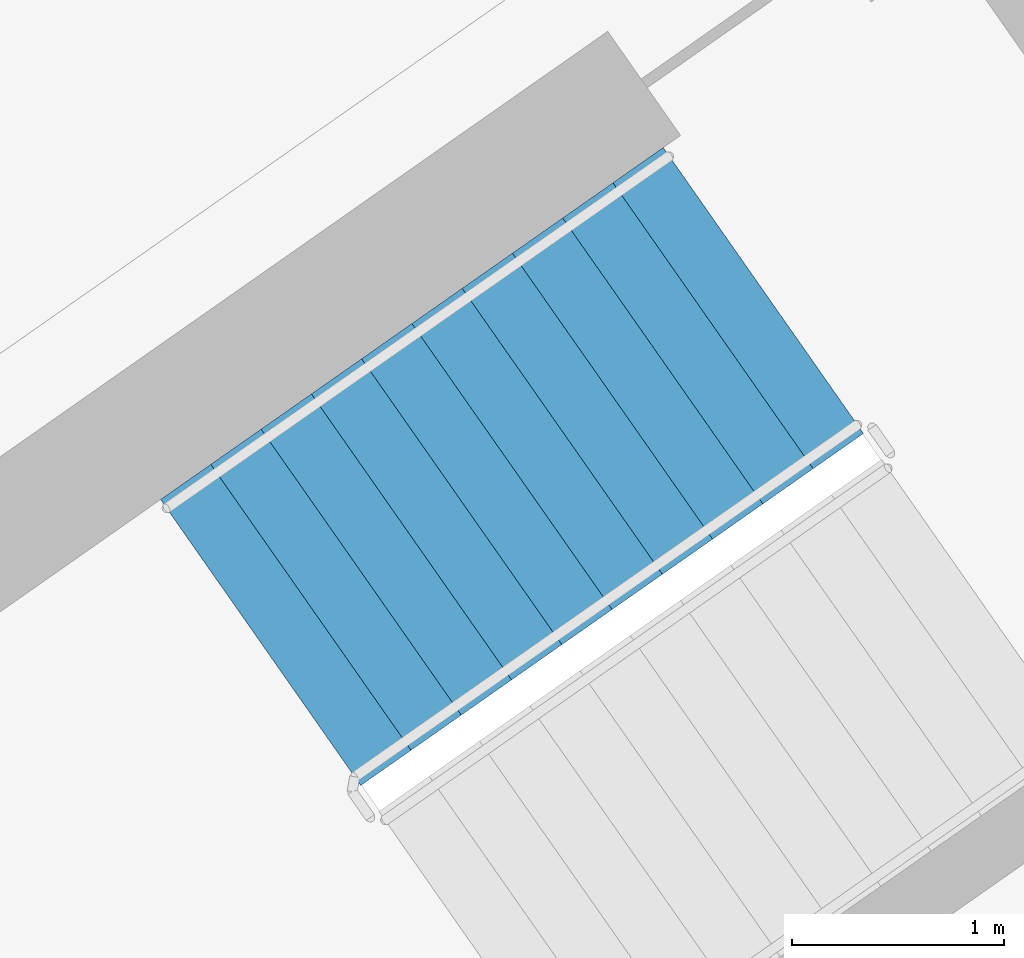
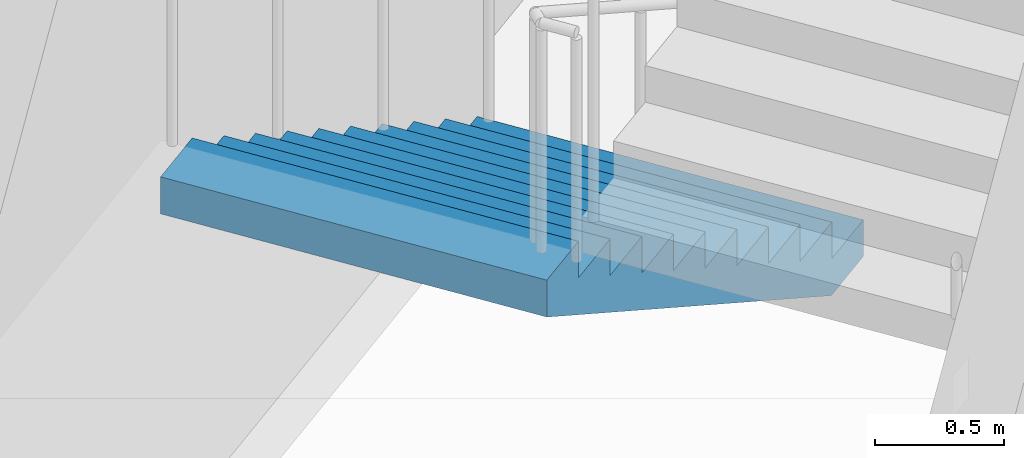
# One storey, part 15 of 28: 1 stair flight, 1 element without a shape of its own.
"""IFC4 building model written with IfcOpenShell, lengths in metres."""

from ifc_helpers import new_model, si_unit, direction, frame, origin, place, context, subcontext, project, spatial, faceted_brep, material, type_object, element, aggregate, save


model = new_model("IFC4")

# Units and contexts
model_context = context("Model", 3, precision=1e-05, world=origin(), true_north=direction((0.0, 1.0)))
body_context = subcontext(model_context, "Body", "Model", "MODEL_VIEW")
ifc_project = project(units=[si_unit("LENGTHUNIT", "METRE"), si_unit("AREAUNIT", "SQUARE_METRE"), si_unit("VOLUMEUNIT", "CUBIC_METRE"), si_unit("PLANEANGLEUNIT", "RADIAN"), si_unit("MASSUNIT", "GRAM", prefix="KILO")], contexts=[model_context])

# Site, building, storey
site_placement = place(None, origin())
site = spatial("IfcSite", under=ifc_project, at=site_placement, CompositionType="ELEMENT")
building_placement = place(site_placement, origin())
building = spatial("IfcBuilding", under=site, at=building_placement, Name="Qamariyya Broadcast Tower", CompositionType="ELEMENT")
storey_placement = place(building_placement, frame((0.0, 0.0, 245.5)))
storey = spatial("IfcBuildingStorey", under=building, at=storey_placement, Name="L59", CompositionType="ELEMENT", Elevation=245.5)

# Stair, stair flight
ifc_material = material(Name="Concrete C50/60", Category="concrete")
stair_type = type_object("IfcStairType", Name="Exit stair 22 risers of 173 mm", PredefinedType="HALF_TURN_STAIR", material=ifc_material)
stair_placement = place(storey_placement, origin())
stair = element("IfcStair", 1, at=stair_placement, inside=storey, type_object=stair_type, Name="L59 Stair E2", PredefinedType="HALF_TURN_STAIR")
stair_flight_type = type_object("IfcStairFlightType", Name="Exit stair flight 11 risers of 173 mm", PredefinedType="STRAIGHT", material=ifc_material)
stair_flight_placement = place(storey_placement, frame((40.558837890625, -47.685302734375, 0.0), z_axis=(0.0, 0.0, 1.0), x_axis=(-0.819152044289, -0.573576436351, 0.0)))
stair_flight = element("IfcStairFlight", 2, at=stair_flight_placement, type_object=stair_flight_type, Name="ST-E2 flight 1", NumberOfRisers=11, NumberOfTreads=10, PredefinedType="STRAIGHT", RiserHeight=0.172727273, TreadLength=0.29, context=body_context, shape_type="Brep", body=[
    faceted_brep([(0.0, 0.824951171875, 0.0), (0.0, 0.824951171875, 0.172607421875), (0.2900390625, 0.824951171875, 0.172607421875), (0.2900390625, 0.824951171875, 0.345458984375), (0.580078125, 0.824951171875, 0.345458984375), (0.580078125, 0.824951171875, 0.51806640625), (0.8701171875, 0.824951171875, 0.51806640625), (0.8701171875, 0.824951171875, 0.69091796875), (1.159912109375, 0.824951171875, 0.69091796875), (1.159912109375, 0.824951171875, 0.863525390625), (1.449951171875, 0.824951171875, 0.863525390625), (1.449951171875, 0.824951171875, 1.036376953125), (1.739990234375, 0.824951171875, 1.036376953125), (1.739990234375, 0.824951171875, 1.208984375), (2.030029296875, 0.824951171875, 1.208984375), (2.030029296875, 0.824951171875, 1.3818359375), (2.320068359375, 0.824951171875, 1.3818359375), (2.320068359375, 0.824951171875, 1.554443359375), (2.610107421875, 0.824951171875, 1.554443359375), (2.610107421875, 0.824951171875, 1.727294921875), (2.89990234375, 0.824951171875, 1.727294921875), (2.89990234375, 0.824951171875, 1.552734375), (0.29296875, 0.824951171875, 0.0), (0.29296875, -0.824951171875, 0.0), (2.89990234375, -0.824951171875, 1.552734375), (2.89990234375, -0.824951171875, 1.727294921875), (2.610107421875, -0.824951171875, 1.727294921875), (2.610107421875, -0.824951171875, 1.554443359375), (2.320068359375, -0.824951171875, 1.554443359375), (2.320068359375, -0.824951171875, 1.3818359375), (2.030029296875, -0.824951171875, 1.3818359375), (2.030029296875, -0.824951171875, 1.208984375), (1.739990234375, -0.824951171875, 1.208984375), (1.739990234375, -0.824951171875, 1.036376953125), (1.449951171875, -0.824951171875, 1.036376953125), (1.449951171875, -0.824951171875, 0.863525390625), (1.159912109375, -0.824951171875, 0.863525390625), (1.159912109375, -0.824951171875, 0.69091796875), (0.8701171875, -0.824951171875, 0.69091796875), (0.8701171875, -0.824951171875, 0.51806640625), (0.580078125, -0.824951171875, 0.51806640625), (0.580078125, -0.824951171875, 0.345458984375), (0.2900390625, -0.824951171875, 0.345458984375), (0.2900390625, -0.824951171875, 0.172607421875), (0.0, -0.824951171875, 0.172607421875), (0.0, -0.824951171875, 0.0), (0.0, 0.10009765625, 0.0), (0.0, 0.086669921875, 0.0), (0.0, 0.0732421875, 0.0), (0.0, 0.06005859375, 0.0), (0.0, 0.046630859375, 0.0), (0.0, 0.033447265625, 0.0), (0.0, 0.02001953125, 0.0), (0.0, 0.006591796875, 0.0), (0.0, -0.006591796875, 0.0), (0.0, -0.02001953125, 0.0), (0.0, -0.033447265625, 0.0), (0.0, -0.046630859375, 0.0), (0.0, -0.06005859375, 0.0), (0.0, -0.0732421875, 0.0), (0.0, -0.086669921875, 0.0), (0.0, -0.10009765625, 0.0), (0.0, -0.10009765625, 0.172607421875), (0.0, -0.086669921875, 0.172607421875), (0.0, -0.0732421875, 0.172607421875), (0.0, -0.06005859375, 0.172607421875), (0.0, -0.046630859375, 0.172607421875), (0.0, -0.033447265625, 0.172607421875), (0.0, -0.02001953125, 0.172607421875), (0.0, -0.006591796875, 0.172607421875), (0.0, 0.006591796875, 0.172607421875), (0.0, 0.02001953125, 0.172607421875), (0.0, 0.033447265625, 0.172607421875), (0.0, 0.046630859375, 0.172607421875), (0.0, 0.06005859375, 0.172607421875), (0.0, 0.0732421875, 0.172607421875), (0.0, 0.086669921875, 0.172607421875), (0.0, 0.10009765625, 0.172607421875), (0.2900390625, -0.10009765625, 0.172607421875), (0.2900390625, -0.086669921875, 0.172607421875), (0.2900390625, -0.0732421875, 0.172607421875), (0.2900390625, -0.06005859375, 0.172607421875), (0.2900390625, -0.046630859375, 0.172607421875), (0.2900390625, -0.033447265625, 0.172607421875), (0.2900390625, -0.02001953125, 0.172607421875), (0.2900390625, -0.006591796875, 0.172607421875), (0.2900390625, 0.006591796875, 0.172607421875), (0.2900390625, 0.02001953125, 0.172607421875), (0.2900390625, 0.033447265625, 0.172607421875), (0.2900390625, 0.046630859375, 0.172607421875), (0.2900390625, 0.06005859375, 0.172607421875), (0.2900390625, 0.0732421875, 0.172607421875), (0.2900390625, 0.086669921875, 0.172607421875), (0.2900390625, 0.10009765625, 0.172607421875), (0.2900390625, -0.10009765625, 0.345458984375), (0.2900390625, -0.086669921875, 0.345458984375), (0.2900390625, -0.0732421875, 0.345458984375), (0.2900390625, -0.06005859375, 0.345458984375), (0.2900390625, -0.046630859375, 0.345458984375), (0.2900390625, -0.033447265625, 0.345458984375), (0.2900390625, -0.02001953125, 0.345458984375), (0.2900390625, -0.006591796875, 0.345458984375), (0.2900390625, 0.006591796875, 0.345458984375), (0.2900390625, 0.02001953125, 0.345458984375), (0.2900390625, 0.033447265625, 0.345458984375), (0.2900390625, 0.046630859375, 0.345458984375), (0.2900390625, 0.06005859375, 0.345458984375), (0.2900390625, 0.0732421875, 0.345458984375), (0.2900390625, 0.086669921875, 0.345458984375), (0.2900390625, 0.10009765625, 0.345458984375), (0.580078125, -0.10009765625, 0.345458984375), (0.580078125, -0.086669921875, 0.345458984375), (0.580078125, -0.0732421875, 0.345458984375), (0.580078125, -0.06005859375, 0.345458984375), (0.580078125, -0.046630859375, 0.345458984375), (0.580078125, -0.033447265625, 0.345458984375), (0.580078125, -0.02001953125, 0.345458984375), (0.580078125, -0.006591796875, 0.345458984375), (0.580078125, 0.006591796875, 0.345458984375), (0.580078125, 0.02001953125, 0.345458984375), (0.580078125, 0.033447265625, 0.345458984375), (0.580078125, 0.046630859375, 0.345458984375), (0.580078125, 0.06005859375, 0.345458984375), (0.580078125, 0.0732421875, 0.345458984375), (0.580078125, 0.086669921875, 0.345458984375), (0.580078125, 0.10009765625, 0.345458984375), (0.580078125, -0.10009765625, 0.51806640625), (0.580078125, -0.086669921875, 0.51806640625), (0.580078125, -0.0732421875, 0.51806640625), (0.580078125, -0.06005859375, 0.51806640625), (0.580078125, -0.046630859375, 0.51806640625), (0.580078125, -0.033447265625, 0.51806640625), (0.580078125, -0.02001953125, 0.51806640625), (0.580078125, -0.006591796875, 0.51806640625), (0.580078125, 0.006591796875, 0.51806640625), (0.580078125, 0.02001953125, 0.51806640625), (0.580078125, 0.033447265625, 0.51806640625), (0.580078125, 0.046630859375, 0.51806640625), (0.580078125, 0.06005859375, 0.51806640625), (0.580078125, 0.0732421875, 0.51806640625), (0.580078125, 0.086669921875, 0.51806640625), (0.580078125, 0.10009765625, 0.51806640625), (0.8701171875, -0.10009765625, 0.51806640625), (0.8701171875, -0.086669921875, 0.51806640625), (0.8701171875, -0.0732421875, 0.51806640625), (0.8701171875, -0.06005859375, 0.51806640625), (0.8701171875, -0.046630859375, 0.51806640625), (0.8701171875, -0.033447265625, 0.51806640625), (0.8701171875, -0.02001953125, 0.51806640625), (0.8701171875, -0.006591796875, 0.51806640625), (0.8701171875, 0.006591796875, 0.51806640625), (0.8701171875, 0.02001953125, 0.51806640625), (0.8701171875, 0.033447265625, 0.51806640625), (0.8701171875, 0.046630859375, 0.51806640625), (0.8701171875, 0.06005859375, 0.51806640625), (0.8701171875, 0.0732421875, 0.51806640625), (0.8701171875, 0.086669921875, 0.51806640625), (0.8701171875, 0.10009765625, 0.51806640625), (0.8701171875, -0.10009765625, 0.69091796875), (0.8701171875, -0.086669921875, 0.69091796875), (0.8701171875, -0.0732421875, 0.69091796875), (0.8701171875, -0.06005859375, 0.69091796875), (0.8701171875, -0.046630859375, 0.69091796875), (0.8701171875, -0.033447265625, 0.69091796875), (0.8701171875, -0.02001953125, 0.69091796875), (0.8701171875, -0.006591796875, 0.69091796875), (0.8701171875, 0.006591796875, 0.69091796875), (0.8701171875, 0.02001953125, 0.69091796875), (0.8701171875, 0.033447265625, 0.69091796875), (0.8701171875, 0.046630859375, 0.69091796875), (0.8701171875, 0.06005859375, 0.69091796875), (0.8701171875, 0.0732421875, 0.69091796875), (0.8701171875, 0.086669921875, 0.69091796875), (0.8701171875, 0.10009765625, 0.69091796875), (1.159912109375, -0.10009765625, 0.69091796875), (1.159912109375, -0.086669921875, 0.69091796875), (1.159912109375, -0.0732421875, 0.69091796875), (1.159912109375, -0.06005859375, 0.69091796875), (1.159912109375, -0.046630859375, 0.69091796875), (1.159912109375, -0.033447265625, 0.69091796875), (1.159912109375, -0.02001953125, 0.69091796875), (1.159912109375, -0.006591796875, 0.69091796875), (1.159912109375, 0.006591796875, 0.69091796875), (1.159912109375, 0.02001953125, 0.69091796875), (1.159912109375, 0.033447265625, 0.69091796875), (1.159912109375, 0.046630859375, 0.69091796875), (1.159912109375, 0.06005859375, 0.69091796875), (1.159912109375, 0.0732421875, 0.69091796875), (1.159912109375, 0.086669921875, 0.69091796875), (1.159912109375, 0.10009765625, 0.69091796875), (1.159912109375, -0.10009765625, 0.863525390625), (1.159912109375, -0.086669921875, 0.863525390625), (1.159912109375, -0.0732421875, 0.863525390625), (1.159912109375, -0.06005859375, 0.863525390625), (1.159912109375, -0.046630859375, 0.863525390625), (1.159912109375, -0.033447265625, 0.863525390625), (1.159912109375, -0.02001953125, 0.863525390625), (1.159912109375, -0.006591796875, 0.863525390625), (1.159912109375, 0.006591796875, 0.863525390625), (1.159912109375, 0.02001953125, 0.863525390625), (1.159912109375, 0.033447265625, 0.863525390625), (1.159912109375, 0.046630859375, 0.863525390625), (1.159912109375, 0.06005859375, 0.863525390625), (1.159912109375, 0.0732421875, 0.863525390625), (1.159912109375, 0.086669921875, 0.863525390625), (1.159912109375, 0.10009765625, 0.863525390625), (1.449951171875, -0.10009765625, 0.863525390625), (1.449951171875, -0.086669921875, 0.863525390625), (1.449951171875, -0.0732421875, 0.863525390625), (1.449951171875, -0.06005859375, 0.863525390625), (1.449951171875, -0.046630859375, 0.863525390625), (1.449951171875, -0.033447265625, 0.863525390625), (1.449951171875, -0.02001953125, 0.863525390625), (1.449951171875, -0.006591796875, 0.863525390625), (1.449951171875, 0.006591796875, 0.863525390625), (1.449951171875, 0.02001953125, 0.863525390625), (1.449951171875, 0.033447265625, 0.863525390625), (1.449951171875, 0.046630859375, 0.863525390625), (1.449951171875, 0.06005859375, 0.863525390625), (1.449951171875, 0.0732421875, 0.863525390625), (1.449951171875, 0.086669921875, 0.863525390625), (1.449951171875, 0.10009765625, 0.863525390625), (1.449951171875, -0.10009765625, 1.036376953125), (1.449951171875, -0.086669921875, 1.036376953125), (1.449951171875, -0.0732421875, 1.036376953125), (1.449951171875, -0.06005859375, 1.036376953125), (1.449951171875, -0.046630859375, 1.036376953125), (1.449951171875, -0.033447265625, 1.036376953125), (1.449951171875, -0.02001953125, 1.036376953125), (1.449951171875, -0.006591796875, 1.036376953125), (1.449951171875, 0.006591796875, 1.036376953125), (1.449951171875, 0.02001953125, 1.036376953125), (1.449951171875, 0.033447265625, 1.036376953125), (1.449951171875, 0.046630859375, 1.036376953125), (1.449951171875, 0.06005859375, 1.036376953125), (1.449951171875, 0.0732421875, 1.036376953125), (1.449951171875, 0.086669921875, 1.036376953125), (1.449951171875, 0.10009765625, 1.036376953125), (1.739990234375, -0.10009765625, 1.036376953125), (1.739990234375, -0.086669921875, 1.036376953125), (1.739990234375, -0.0732421875, 1.036376953125), (1.739990234375, -0.06005859375, 1.036376953125), (1.739990234375, -0.046630859375, 1.036376953125), (1.739990234375, -0.033447265625, 1.036376953125), (1.739990234375, -0.02001953125, 1.036376953125), (1.739990234375, -0.006591796875, 1.036376953125), (1.739990234375, 0.006591796875, 1.036376953125), (1.739990234375, 0.02001953125, 1.036376953125), (1.739990234375, 0.033447265625, 1.036376953125), (1.739990234375, 0.046630859375, 1.036376953125), (1.739990234375, 0.06005859375, 1.036376953125), (1.739990234375, 0.0732421875, 1.036376953125), (1.739990234375, 0.086669921875, 1.036376953125), (1.739990234375, 0.10009765625, 1.036376953125), (1.739990234375, -0.10009765625, 1.208984375), (1.739990234375, -0.086669921875, 1.208984375), (1.739990234375, -0.0732421875, 1.208984375), (1.739990234375, -0.06005859375, 1.208984375), (1.739990234375, -0.046630859375, 1.208984375), (1.739990234375, -0.033447265625, 1.208984375), (1.739990234375, -0.02001953125, 1.208984375), (1.739990234375, -0.006591796875, 1.208984375), (1.739990234375, 0.006591796875, 1.208984375), (1.739990234375, 0.02001953125, 1.208984375), (1.739990234375, 0.033447265625, 1.208984375), (1.739990234375, 0.046630859375, 1.208984375), (1.739990234375, 0.06005859375, 1.208984375), (1.739990234375, 0.0732421875, 1.208984375), (1.739990234375, 0.086669921875, 1.208984375), (1.739990234375, 0.10009765625, 1.208984375), (2.030029296875, -0.10009765625, 1.208984375), (2.030029296875, -0.086669921875, 1.208984375), (2.030029296875, -0.0732421875, 1.208984375), (2.030029296875, -0.06005859375, 1.208984375), (2.030029296875, -0.046630859375, 1.208984375), (2.030029296875, -0.033447265625, 1.208984375), (2.030029296875, -0.02001953125, 1.208984375), (2.030029296875, -0.006591796875, 1.208984375), (2.030029296875, 0.006591796875, 1.208984375), (2.030029296875, 0.02001953125, 1.208984375), (2.030029296875, 0.033447265625, 1.208984375), (2.030029296875, 0.046630859375, 1.208984375), (2.030029296875, 0.06005859375, 1.208984375), (2.030029296875, 0.0732421875, 1.208984375), (2.030029296875, 0.086669921875, 1.208984375), (2.030029296875, 0.10009765625, 1.208984375), (2.030029296875, -0.10009765625, 1.3818359375), (2.030029296875, -0.086669921875, 1.3818359375), (2.030029296875, -0.0732421875, 1.3818359375), (2.030029296875, -0.06005859375, 1.3818359375), (2.030029296875, -0.046630859375, 1.3818359375), (2.030029296875, -0.033447265625, 1.3818359375), (2.030029296875, -0.02001953125, 1.3818359375), (2.030029296875, -0.006591796875, 1.3818359375), (2.030029296875, 0.006591796875, 1.3818359375), (2.030029296875, 0.02001953125, 1.3818359375), (2.030029296875, 0.033447265625, 1.3818359375), (2.030029296875, 0.046630859375, 1.3818359375), (2.030029296875, 0.06005859375, 1.3818359375), (2.030029296875, 0.0732421875, 1.3818359375), (2.030029296875, 0.086669921875, 1.3818359375), (2.030029296875, 0.10009765625, 1.3818359375), (2.320068359375, -0.10009765625, 1.3818359375), (2.320068359375, -0.086669921875, 1.3818359375), (2.320068359375, -0.0732421875, 1.3818359375), (2.320068359375, -0.06005859375, 1.3818359375), (2.320068359375, -0.046630859375, 1.3818359375), (2.320068359375, -0.033447265625, 1.3818359375), (2.320068359375, -0.02001953125, 1.3818359375), (2.320068359375, -0.006591796875, 1.3818359375), (2.320068359375, 0.006591796875, 1.3818359375), (2.320068359375, 0.02001953125, 1.3818359375), (2.320068359375, 0.033447265625, 1.3818359375), (2.320068359375, 0.046630859375, 1.3818359375), (2.320068359375, 0.06005859375, 1.3818359375), (2.320068359375, 0.0732421875, 1.3818359375), (2.320068359375, 0.086669921875, 1.3818359375), (2.320068359375, 0.10009765625, 1.3818359375), (2.320068359375, -0.10009765625, 1.554443359375), (2.320068359375, -0.086669921875, 1.554443359375), (2.320068359375, -0.0732421875, 1.554443359375), (2.320068359375, -0.06005859375, 1.554443359375), (2.320068359375, -0.046630859375, 1.554443359375), (2.320068359375, -0.033447265625, 1.554443359375), (2.320068359375, -0.02001953125, 1.554443359375), (2.320068359375, -0.006591796875, 1.554443359375), (2.320068359375, 0.006591796875, 1.554443359375), (2.320068359375, 0.02001953125, 1.554443359375), (2.320068359375, 0.033447265625, 1.554443359375), (2.320068359375, 0.046630859375, 1.554443359375), (2.320068359375, 0.06005859375, 1.554443359375), (2.320068359375, 0.0732421875, 1.554443359375), (2.320068359375, 0.086669921875, 1.554443359375), (2.320068359375, 0.10009765625, 1.554443359375), (2.610107421875, -0.10009765625, 1.554443359375), (2.610107421875, -0.086669921875, 1.554443359375), (2.610107421875, -0.0732421875, 1.554443359375), (2.610107421875, -0.06005859375, 1.554443359375), (2.610107421875, -0.046630859375, 1.554443359375), (2.610107421875, -0.033447265625, 1.554443359375), (2.610107421875, -0.02001953125, 1.554443359375), (2.610107421875, -0.006591796875, 1.554443359375), (2.610107421875, 0.006591796875, 1.554443359375), (2.610107421875, 0.02001953125, 1.554443359375), (2.610107421875, 0.033447265625, 1.554443359375), (2.610107421875, 0.046630859375, 1.554443359375), (2.610107421875, 0.06005859375, 1.554443359375), (2.610107421875, 0.0732421875, 1.554443359375), (2.610107421875, 0.086669921875, 1.554443359375), (2.610107421875, 0.10009765625, 1.554443359375), (2.610107421875, -0.10009765625, 1.727294921875), (2.610107421875, -0.086669921875, 1.727294921875), (2.610107421875, -0.0732421875, 1.727294921875), (2.610107421875, -0.06005859375, 1.727294921875), (2.610107421875, -0.046630859375, 1.727294921875), (2.610107421875, -0.033447265625, 1.727294921875), (2.610107421875, -0.02001953125, 1.727294921875), (2.610107421875, -0.006591796875, 1.727294921875), (2.610107421875, 0.006591796875, 1.727294921875), (2.610107421875, 0.02001953125, 1.727294921875), (2.610107421875, 0.033447265625, 1.727294921875), (2.610107421875, 0.046630859375, 1.727294921875), (2.610107421875, 0.06005859375, 1.727294921875), (2.610107421875, 0.0732421875, 1.727294921875), (2.610107421875, 0.086669921875, 1.727294921875), (2.610107421875, 0.10009765625, 1.727294921875), (2.89990234375, -0.10009765625, 1.727294921875), (2.89990234375, -0.086669921875, 1.727294921875), (2.89990234375, -0.0732421875, 1.727294921875), (2.89990234375, -0.06005859375, 1.727294921875), (2.89990234375, -0.046630859375, 1.727294921875), (2.89990234375, -0.033447265625, 1.727294921875), (2.89990234375, -0.02001953125, 1.727294921875), (2.89990234375, -0.006591796875, 1.727294921875), (2.89990234375, 0.006591796875, 1.727294921875), (2.89990234375, 0.02001953125, 1.727294921875), (2.89990234375, 0.033447265625, 1.727294921875), (2.89990234375, 0.046630859375, 1.727294921875), (2.89990234375, 0.06005859375, 1.727294921875), (2.89990234375, 0.0732421875, 1.727294921875), (2.89990234375, 0.086669921875, 1.727294921875), (2.89990234375, 0.10009765625, 1.727294921875), (2.89990234375, -0.10009765625, 1.552734375), (2.89990234375, -0.086669921875, 1.552734375), (2.89990234375, -0.0732421875, 1.552734375), (2.89990234375, -0.06005859375, 1.552734375), (2.89990234375, -0.046630859375, 1.552734375), (2.89990234375, -0.033447265625, 1.552734375), (2.89990234375, -0.02001953125, 1.552734375), (2.89990234375, -0.006591796875, 1.552734375), (2.89990234375, 0.006591796875, 1.552734375), (2.89990234375, 0.02001953125, 1.552734375), (2.89990234375, 0.033447265625, 1.552734375), (2.89990234375, 0.046630859375, 1.552734375), (2.89990234375, 0.06005859375, 1.552734375), (2.89990234375, 0.0732421875, 1.552734375), (2.89990234375, 0.086669921875, 1.552734375), (2.89990234375, 0.10009765625, 1.552734375), (0.29296875, -0.10009765625, 0.0), (0.29296875, -0.086669921875, 0.0), (0.29296875, -0.0732421875, 0.0), (0.29296875, -0.06005859375, 0.0), (0.29296875, -0.046630859375, 0.0), (0.29296875, -0.033447265625, 0.0), (0.29296875, -0.02001953125, 0.0), (0.29296875, -0.006591796875, 0.0), (0.29296875, 0.006591796875, 0.0), (0.29296875, 0.02001953125, 0.0), (0.29296875, 0.033447265625, 0.0), (0.29296875, 0.046630859375, 0.0), (0.29296875, 0.06005859375, 0.0), (0.29296875, 0.0732421875, 0.0), (0.29296875, 0.086669921875, 0.0), (0.29296875, 0.10009765625, 0.0)], [[[0, 1, 2, 3, 4, 5, 6, 7, 8, 9, 10, 11, 12, 13, 14, 15, 16, 17, 18, 19, 20, 21, 22]], [[23, 24, 25, 26, 27, 28, 29, 30, 31, 32, 33, 34, 35, 36, 37, 38, 39, 40, 41, 42, 43, 44, 45]], [[0, 46, 47, 48, 49, 50, 51, 52, 53, 54, 55, 56, 57, 58, 59, 60, 61, 45, 44, 62, 63, 64, 65, 66, 67, 68, 69, 70, 71, 72, 73, 74, 75, 76, 77, 1]], [[1, 77, 76, 75, 74, 73, 72, 71, 70, 69, 68, 67, 66, 65, 64, 63, 62, 44, 43, 78, 79, 80, 81, 82, 83, 84, 85, 86, 87, 88, 89, 90, 91, 92, 93, 2]], [[2, 93, 92, 91, 90, 89, 88, 87, 86, 85, 84, 83, 82, 81, 80, 79, 78, 43, 42, 94, 95, 96, 97, 98, 99, 100, 101, 102, 103, 104, 105, 106, 107, 108, 109, 3]], [[3, 109, 108, 107, 106, 105, 104, 103, 102, 101, 100, 99, 98, 97, 96, 95, 94, 42, 41, 110, 111, 112, 113, 114, 115, 116, 117, 118, 119, 120, 121, 122, 123, 124, 125, 4]], [[4, 125, 124, 123, 122, 121, 120, 119, 118, 117, 116, 115, 114, 113, 112, 111, 110, 41, 40, 126, 127, 128, 129, 130, 131, 132, 133, 134, 135, 136, 137, 138, 139, 140, 141, 5]], [[5, 141, 140, 139, 138, 137, 136, 135, 134, 133, 132, 131, 130, 129, 128, 127, 126, 40, 39, 142, 143, 144, 145, 146, 147, 148, 149, 150, 151, 152, 153, 154, 155, 156, 157, 6]], [[6, 157, 156, 155, 154, 153, 152, 151, 150, 149, 148, 147, 146, 145, 144, 143, 142, 39, 38, 158, 159, 160, 161, 162, 163, 164, 165, 166, 167, 168, 169, 170, 171, 172, 173, 7]], [[7, 173, 172, 171, 170, 169, 168, 167, 166, 165, 164, 163, 162, 161, 160, 159, 158, 38, 37, 174, 175, 176, 177, 178, 179, 180, 181, 182, 183, 184, 185, 186, 187, 188, 189, 8]], [[8, 189, 188, 187, 186, 185, 184, 183, 182, 181, 180, 179, 178, 177, 176, 175, 174, 37, 36, 190, 191, 192, 193, 194, 195, 196, 197, 198, 199, 200, 201, 202, 203, 204, 205, 9]], [[9, 205, 204, 203, 202, 201, 200, 199, 198, 197, 196, 195, 194, 193, 192, 191, 190, 36, 35, 206, 207, 208, 209, 210, 211, 212, 213, 214, 215, 216, 217, 218, 219, 220, 221, 10]], [[10, 221, 220, 219, 218, 217, 216, 215, 214, 213, 212, 211, 210, 209, 208, 207, 206, 35, 34, 222, 223, 224, 225, 226, 227, 228, 229, 230, 231, 232, 233, 234, 235, 236, 237, 11]], [[11, 237, 236, 235, 234, 233, 232, 231, 230, 229, 228, 227, 226, 225, 224, 223, 222, 34, 33, 238, 239, 240, 241, 242, 243, 244, 245, 246, 247, 248, 249, 250, 251, 252, 253, 12]], [[12, 253, 252, 251, 250, 249, 248, 247, 246, 245, 244, 243, 242, 241, 240, 239, 238, 33, 32, 254, 255, 256, 257, 258, 259, 260, 261, 262, 263, 264, 265, 266, 267, 268, 269, 13]], [[13, 269, 268, 267, 266, 265, 264, 263, 262, 261, 260, 259, 258, 257, 256, 255, 254, 32, 31, 270, 271, 272, 273, 274, 275, 276, 277, 278, 279, 280, 281, 282, 283, 284, 285, 14]], [[14, 285, 284, 283, 282, 281, 280, 279, 278, 277, 276, 275, 274, 273, 272, 271, 270, 31, 30, 286, 287, 288, 289, 290, 291, 292, 293, 294, 295, 296, 297, 298, 299, 300, 301, 15]], [[15, 301, 300, 299, 298, 297, 296, 295, 294, 293, 292, 291, 290, 289, 288, 287, 286, 30, 29, 302, 303, 304, 305, 306, 307, 308, 309, 310, 311, 312, 313, 314, 315, 316, 317, 16]], [[16, 317, 316, 315, 314, 313, 312, 311, 310, 309, 308, 307, 306, 305, 304, 303, 302, 29, 28, 318, 319, 320, 321, 322, 323, 324, 325, 326, 327, 328, 329, 330, 331, 332, 333, 17]], [[17, 333, 332, 331, 330, 329, 328, 327, 326, 325, 324, 323, 322, 321, 320, 319, 318, 28, 27, 334, 335, 336, 337, 338, 339, 340, 341, 342, 343, 344, 345, 346, 347, 348, 349, 18]], [[18, 349, 348, 347, 346, 345, 344, 343, 342, 341, 340, 339, 338, 337, 336, 335, 334, 27, 26, 350, 351, 352, 353, 354, 355, 356, 357, 358, 359, 360, 361, 362, 363, 364, 365, 19]], [[19, 365, 364, 363, 362, 361, 360, 359, 358, 357, 356, 355, 354, 353, 352, 351, 350, 26, 25, 366, 367, 368, 369, 370, 371, 372, 373, 374, 375, 376, 377, 378, 379, 380, 381, 20]], [[20, 381, 380, 379, 378, 377, 376, 375, 374, 373, 372, 371, 370, 369, 368, 367, 366, 25, 24, 382, 383, 384, 385, 386, 387, 388, 389, 390, 391, 392, 393, 394, 395, 396, 397, 21]], [[21, 397, 396, 395, 394, 393, 392, 391, 390, 389, 388, 387, 386, 385, 384, 383, 382, 24, 23, 398, 399, 400, 401, 402, 403, 404, 405, 406, 407, 408, 409, 410, 411, 412, 413, 22]], [[22, 413, 412, 411, 410, 409, 408, 407, 406, 405, 404, 403, 402, 401, 400, 399, 398, 23, 45, 61, 60, 59, 58, 57, 56, 55, 54, 53, 52, 51, 50, 49, 48, 47, 46, 0]]]),
])
aggregate(stair, [stair_flight])

save(model, "model.ifc")
